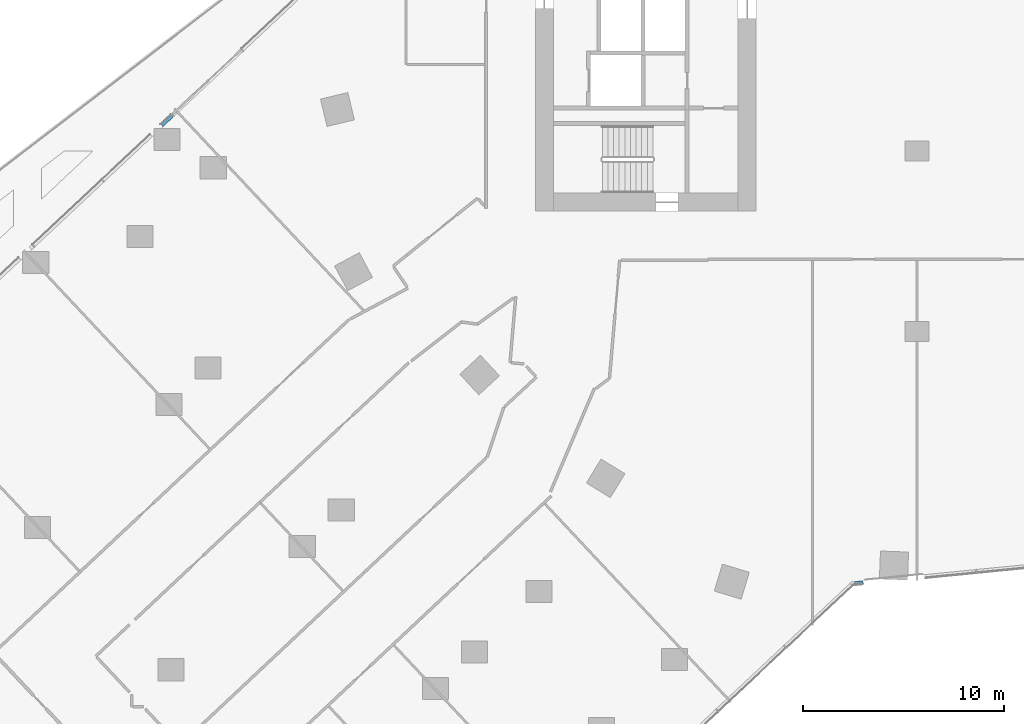
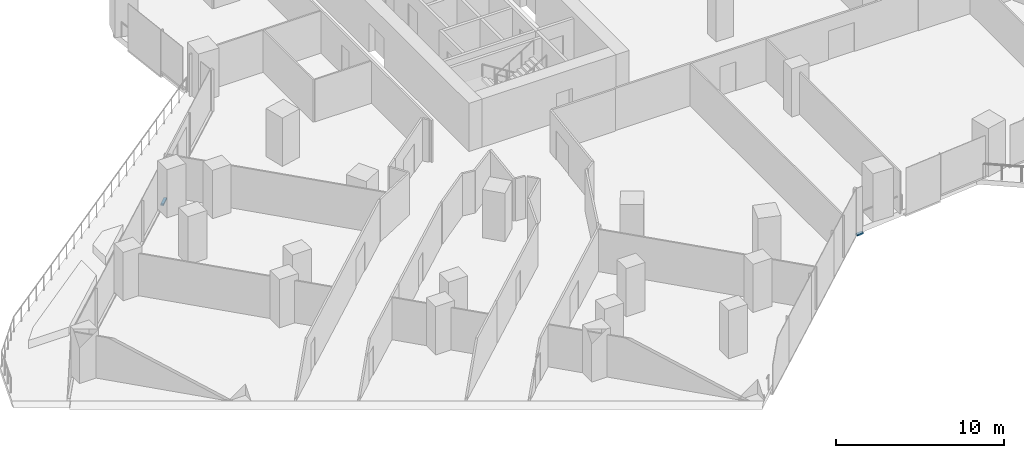
# One storey, part 14 of 34: 2 members, 2 elements without a shape of their own.
"""IFC4 building model written with IfcOpenShell, lengths in metres."""

from ifc_helpers import new_model, si_unit, direction, frame, origin, origin_2d, place, context, subcontext, project, spatial, rectangle, extrude, material, material_profile, profile_set, type_object, element, aggregate, save


model = new_model("IFC4")

# Units and contexts
model_context = context("Model", 3, precision=1e-05, world=origin(), true_north=direction((0.0, 1.0)))
body_context = subcontext(model_context, "Body", "Model", "MODEL_VIEW")
ifc_project = project(units=[si_unit("LENGTHUNIT", "METRE"), si_unit("AREAUNIT", "SQUARE_METRE"), si_unit("VOLUMEUNIT", "CUBIC_METRE"), si_unit("PLANEANGLEUNIT", "RADIAN"), si_unit("MASSUNIT", "GRAM", prefix="KILO")], contexts=[model_context])

# Site, building, storey
site_placement = place(None, origin())
site = spatial("IfcSite", under=ifc_project, at=site_placement, CompositionType="ELEMENT")
building_placement = place(site_placement, origin())
building = spatial("IfcBuilding", under=site, at=building_placement, Name="Orlundy Tower", CompositionType="ELEMENT")
storey_placement = place(building_placement, frame((0.0, 0.0, 37.300048828125)))
storey = spatial("IfcBuildingStorey", under=building, at=storey_placement, Name="L07", CompositionType="ELEMENT", Elevation=37.300048828125)

# Curtain wall, member
ifc_material_1 = material(Name="Aluminium bronze anodised", Category="aluminium")
curtain_wall_type = type_object("IfcCurtainWallType", Name="CW1 wall", PredefinedType="NOTDEFINED", material=ifc_material_1)
curtain_wall_1_placement = place(storey_placement, origin())
curtain_wall_1 = element("IfcCurtainWall", 1, at=curtain_wall_1_placement, inside=storey, type_object=curtain_wall_type, Name="CW1 run 00", PredefinedType="NOTDEFINED")
ifc_material_2 = material(Name="Aluminium bronze anodised", Category="aluminium")
ifc_material_profile = material_profile(ifc_material_2, rectangle(XDim=0.179931640625, YDim=0.1201171875, at=origin_2d()), Name="CW1 transom 180x120")
ifc_profile_set = profile_set([ifc_material_profile], Name="Aluminium bronze anodised")
member_type = type_object("IfcMemberType", Name="CW1 transom 180x120", PredefinedType="USERDEFINED", material=ifc_profile_set)
member_1_placement = place(storey_placement, frame((-37.603271484375, -7.72607421875, 0.06005859375), z_axis=(0.729311554777, 0.684181741987, 0.0), x_axis=(-0.684181741987, 0.729311554777, 0.0)))
member_1 = element("IfcMember", 2, at=member_1_placement, type_object=member_type, Name="CW1 transom", ObjectType="TRANSOM", PredefinedType="USERDEFINED", context=body_context, shape_type="SweptSolid", body=[
    extrude(rectangle(XDim=0.179931640625, YDim=0.1201171875, at=origin_2d()), origin(), (0.0, 0.0, 1.0), 0.708740234375),
])
aggregate(curtain_wall_1, [member_1])

curtain_wall_2_placement = place(storey_placement, origin())
curtain_wall_2 = element("IfcCurtainWall", 3, at=curtain_wall_2_placement, inside=storey, type_object=curtain_wall_type, Name="CW1 run 017", PredefinedType="NOTDEFINED")
member_2_placement = place(storey_placement, frame((-2.6669921875, -30.502685546875, -0.360107421875), z_axis=(-0.995120571709, -0.098666345637, 0.0), x_axis=(0.098666345637, -0.995120571709, 0.0)))
member_2 = element("IfcMember", 4, at=member_2_placement, type_object=member_type, Name="CW1 transom", ObjectType="TRANSOM", PredefinedType="USERDEFINED", context=body_context, shape_type="SweptSolid", body=[
    extrude(rectangle(XDim=0.179931640625, YDim=0.1201171875, at=origin_2d()), origin(), (0.0, 0.0, 1.0), 0.43310546875),
])
aggregate(curtain_wall_2, [member_2])

save(model, "model.ifc")
